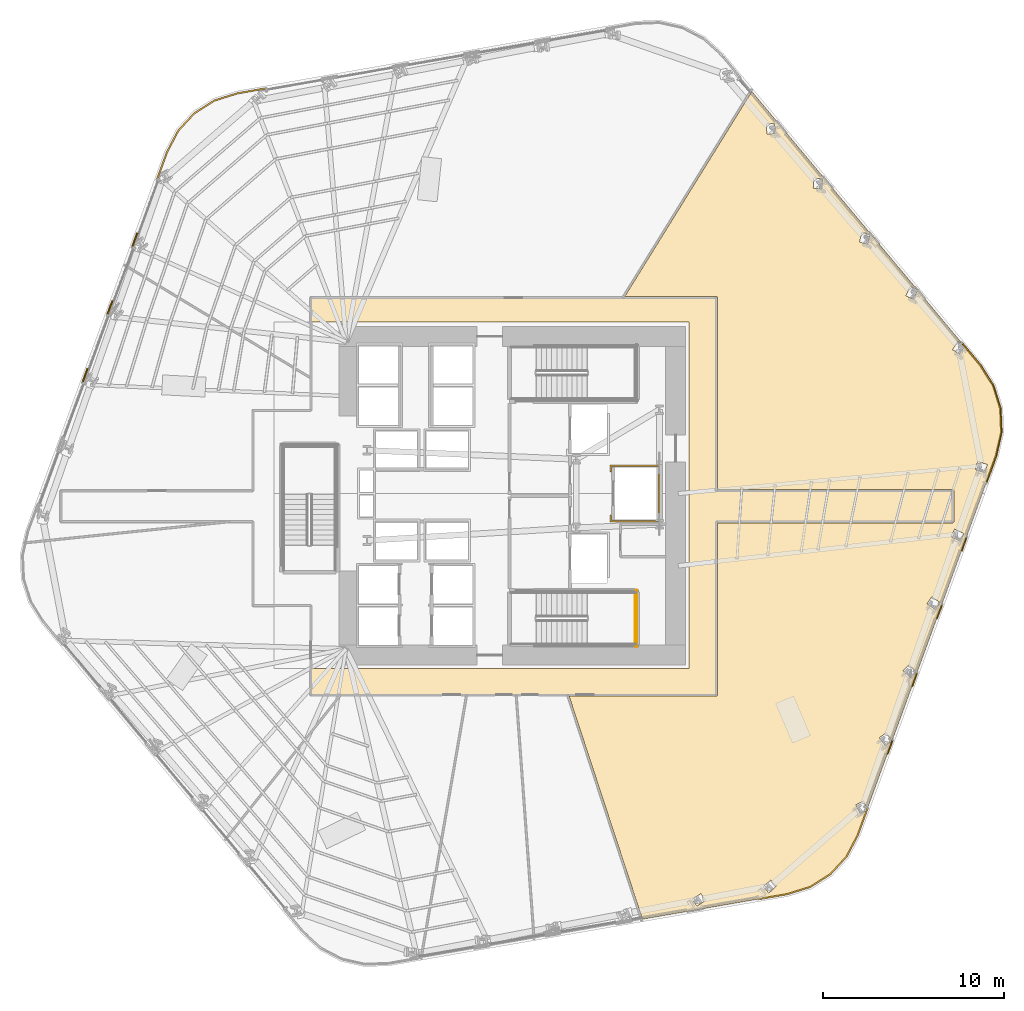
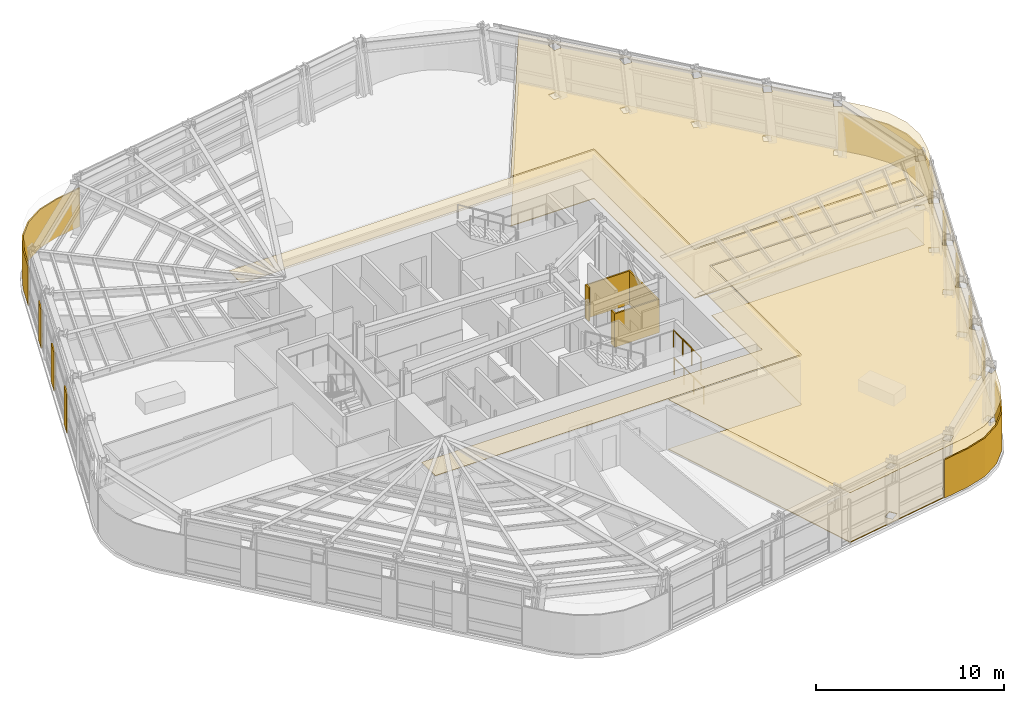
# One storey, part 13 of 16: 14 coverings, 2 railings.
"""IFC4 building model written with IfcOpenShell, lengths in metres."""

from ifc_helpers import new_model, si_unit, direction, frame, origin, origin_2d, place, context, subcontext, project, spatial, polyline, circle, outline, extrude, material, layer, layer_set, type_object, element, save


model = new_model("IFC4")

# Units and contexts
model_context = context("Model", 3, precision=1e-05, world=origin(), true_north=direction((0.0, 1.0)))
body_context = subcontext(model_context, "Body", "Model", "MODEL_VIEW")
ifc_project = project(units=[si_unit("LENGTHUNIT", "METRE"), si_unit("AREAUNIT", "SQUARE_METRE"), si_unit("VOLUMEUNIT", "CUBIC_METRE"), si_unit("PLANEANGLEUNIT", "RADIAN"), si_unit("MASSUNIT", "GRAM", prefix="KILO")], contexts=[model_context])

# Site, building, storey
site_placement = place(None, origin())
site = spatial("IfcSite", under=ifc_project, at=site_placement, CompositionType="ELEMENT")
building_placement = place(site_placement, origin())
building = spatial("IfcBuilding", under=site, at=building_placement, Name="Valkerne Bourse Tower", CompositionType="ELEMENT")
storey_placement = place(building_placement, frame((0.0, 0.0, 65.800048828125)))
storey = spatial("IfcBuildingStorey", under=building, at=storey_placement, Name="L16", CompositionType="ELEMENT", Elevation=65.800048828125)

# Coverings
ifc_material_1 = material(Name="Mineral Fiber Acoustic Ceiling Tile", Category="acoustic")
ifc_layer_1 = layer(ifc_material_1, 0.02490234375)
ifc_layer_set_1 = layer_set([ifc_layer_1], Name="Mineral Fiber Acoustic Ceiling Tile")
covering_type_1 = type_object("IfcCoveringType", Name="COV-CEIL-ACT", PredefinedType="CEILING", material=ifc_layer_set_1)
covering_1_placement = place(storey_placement, frame((0.0, 0.0, 3.22998046875)))
element("IfcCovering", 1, at=covering_1_placement, inside=storey, type_object=covering_type_1, Name="L16 Suspended Ceiling 09", PredefinedType="CEILING", context=body_context, shape_type="SweptSolid", body=[
    extrude(outline(polyline([(63.308837890625, 5.216064453125), (62.04052734375, 4.81884765625), (54.01318359375, 3.42529296875), (49.95068359375, 15.781005859375), (58.100341796875, 15.781005859375), (58.12890625, 15.787353515625), (58.15185546875, 15.80419921875), (58.1689453125, 15.849365234375), (58.1689453125, 25.381103515625), (71.20068359375, 25.381103515625), (71.24169921875, 25.394775390625), (71.266845703125, 25.4326171875), (71.268798828125, 27.153564453125), (71.2509765625, 27.197021484375), (71.2099609375, 27.218505859375), (58.1689453125, 27.218994140625), (58.1689453125, 37.8505859375), (58.162109375, 37.880126953125), (58.135986328125, 37.908935546875), (58.1005859375, 37.9189453125), (53.035888671875, 37.9189453125), (60.072021484375, 49.273193359375), (69.243408203125, 38.2841796875), (68.836669921875, 38.4619140625), (68.611572265625, 37.9541015625), (68.61328125, 37.950927734375), (69.03125, 37.768310546875), (69.254150390625, 38.271240234375), (71.750732421875, 35.280029296875), (71.493408203125, 35.441650390625), (71.1953125, 34.97314453125), (71.196533203125, 34.969482421875), (71.58251953125, 34.72705078125), (71.85498046875, 35.155029296875), (72.734619140625, 34.100830078125), (73.447021484375, 32.978515625), (73.841552734375, 31.719482421875), (73.896728515625, 30.401123046875), (73.60693359375, 29.10400390625), (67.8408203125, 13.30322265625), (67.512939453125, 13.748779296875), (67.145263671875, 13.480224609375), (67.143310546875, 13.477294921875), (67.472900390625, 13.029296875), (67.838134765625, 13.2958984375), (66.468994140625, 9.543701171875), (66.24365234375, 9.97119140625), (65.840087890625, 9.760498046875), (65.83740234375, 9.7578125), (66.0966796875, 9.265625), (66.430908203125, 9.440185546875), (65.931884765625, 8.072265625), (65.316162109375, 6.89453125), (64.4228515625, 5.923095703125), (63.308837890625, 5.216064453125)]), holes=[polyline([(57.49853515625, 4.4609375), (57.241455078125, 4.83935546875), (57.238037109375, 4.837890625), (56.780517578125, 4.52587890625), (57.037841796875, 4.147216796875), (57.041015625, 4.148681640625), (57.49853515625, 4.4609375)]), polyline([(61.0205078125, 4.8779296875), (61.426025390625, 5.254638671875), (61.115478515625, 5.59033203125), (61.1123046875, 5.58837890625), (60.706787109375, 5.211669921875), (61.017333984375, 4.8759765625), (61.0205078125, 4.8779296875)]), polyline([(69.173583984375, 17.12548828125), (69.175048828125, 17.12890625), (68.777587890625, 17.51806640625), (68.457763671875, 17.193603515625), (68.456298828125, 17.1904296875), (68.853759765625, 16.80126953125), (69.173583984375, 17.12548828125)]), polyline([(70.4970703125, 20.955810546875), (70.497802734375, 20.959228515625), (70.041748046875, 21.277587890625), (69.77978515625, 20.90478515625), (69.77880859375, 20.901611328125), (70.235107421875, 20.5830078125), (70.4970703125, 20.955810546875)]), polyline([(71.811279296875, 24.787353515625), (71.309814453125, 25.0283203125), (71.111328125, 24.618408203125), (71.111083984375, 24.61474609375), (71.6123046875, 24.373779296875), (71.81103515625, 24.78369140625), (71.811279296875, 24.787353515625)]), polyline([(73.117431640625, 28.605712890625), (73.1171875, 28.609375), (72.58544921875, 28.7724609375), (72.4501953125, 28.337890625), (72.450439453125, 28.333984375), (72.982177734375, 28.1708984375), (73.117431640625, 28.605712890625)]), polyline([(66.6220703125, 41.356689453125), (66.6201171875, 41.359619140625), (66.177978515625, 41.47265625), (66.03759765625, 40.935302734375), (66.03955078125, 40.9326171875), (66.481689453125, 40.8193359375), (66.6220703125, 41.356689453125)]), polyline([(63.97900390625, 44.432861328125), (63.9765625, 44.435302734375), (63.52197265625, 44.47412109375), (63.47216796875, 43.920654296875), (63.474609375, 43.918212890625), (63.92919921875, 43.879638671875), (63.97900390625, 44.432861328125)]), polyline([(61.33056640625, 47.501220703125), (61.32763671875, 47.503173828125), (60.872802734375, 47.46826171875), (60.91259765625, 46.914306640625), (60.915283203125, 46.912109375), (61.370361328125, 46.947021484375), (61.33056640625, 47.501220703125)])]), origin(), (0.0, 0.0, 1.0), 0.02490234375),
])
ifc_material_2 = material(Name="Bronze Anodised Aluminium AA 6063-T6", Category="aluminium")
ifc_layer_2 = layer(ifc_material_2, 0.030029296875)
ifc_layer_set_2 = layer_set([ifc_layer_2], Name="Bronze Anodised Aluminium AA 6063-T6")
covering_type_2 = type_object("IfcCoveringType", Name="COV-CEIL-METAL", PredefinedType="CEILING", material=ifc_layer_set_2)
covering_2_placement = place(storey_placement, frame((0.0, 0.0, 3.22998046875)))
element("IfcCovering", 2, at=covering_2_placement, inside=storey, type_object=covering_type_2, Name="L16 Suspended Ceiling 01", PredefinedType="CEILING", context=body_context, shape_type="SweptSolid", body=[
    extrude(outline(polyline([(71.196044921875, 27.14599609375), (71.196044921875, 25.4541015625), (58.095947265625, 25.4541015625), (58.095947265625, 15.85400390625), (35.654052734375, 15.85400390625), (35.654052734375, 17.300048828125), (56.60009765625, 17.300048828125), (56.60009765625, 36.5), (35.654052734375, 36.5), (35.654052734375, 37.845947265625), (58.095947265625, 37.845947265625), (58.095947265625, 27.14599609375), (71.196044921875, 27.14599609375)])), origin(), (0.0, 0.0, 1.0), 0.02490234375),
])
ifc_layer_3 = layer(ifc_material_2, 0.06005859375)
ifc_layer_set_3 = layer_set([ifc_layer_3], Name="Bronze Anodised Aluminium AA 6063-T6")
covering_type_3 = type_object("IfcCoveringType", Name="COV-CRN-ALUM", PredefinedType="CLADDING", material=ifc_layer_set_3)
covering_3_placement = place(storey_placement, origin())
element("IfcCovering", 3, at=covering_3_placement, inside=storey, type_object=covering_type_3, Name="L16 Wind-Shaped Corner Aluminium Cladding 01", PredefinedType="CLADDING", context=body_context, shape_type="SweptSolid", body=[
    extrude(outline(polyline([(65.352294921875, 6.868896484375), (64.451416015625, 5.88916015625), (63.327392578125, 5.17578125), (62.051025390625, 4.77587890625), (60.442138671875, 4.49658203125), (60.428466796875, 4.575439453125), (62.031982421875, 4.853759765625), (63.293701171875, 5.2490234375), (64.399658203125, 5.951171875), (65.286376953125, 6.915283203125), (65.89892578125, 8.0869140625), (66.456787109375, 9.615966796875), (66.531982421875, 9.58837890625), (65.97216796875, 8.054443359375), (65.352294921875, 6.868896484375)])), origin(), (0.0, 0.0, 1.0), 2.5),
])
covering_4_placement = place(storey_placement, origin())
element("IfcCovering", 4, at=covering_4_placement, inside=storey, type_object=covering_type_3, Name="L16 Wind-Shaped Corner Aluminium Cladding 13", PredefinedType="CLADDING", context=body_context, shape_type="SweptSolid", body=[
    extrude(outline(polyline([(23.24365234375, 33.940185546875), (23.31884765625, 33.91259765625), (23.029296875, 33.1240234375), (22.954345703125, 33.151611328125), (23.24365234375, 33.940185546875)])), origin(), (0.0, 0.0, 1.0), 2.5),
])
covering_5_placement = place(storey_placement, origin())
element("IfcCovering", 5, at=covering_5_placement, inside=storey, type_object=covering_type_3, Name="L16 Wind-Shaped Corner Aluminium Cladding 14", PredefinedType="CLADDING", context=body_context, shape_type="SweptSolid", body=[
    extrude(outline(polyline([(24.620361328125, 37.69140625), (24.695556640625, 37.6640625), (24.406005859375, 36.875244140625), (24.330810546875, 36.90283203125), (24.620361328125, 37.69140625)])), origin(), (0.0, 0.0, 1.0), 2.5),
])
covering_6_placement = place(storey_placement, origin())
element("IfcCovering", 6, at=covering_6_placement, inside=storey, type_object=covering_type_3, Name="L16 Wind-Shaped Corner Aluminium Cladding 15", PredefinedType="CLADDING", context=body_context, shape_type="SweptSolid", body=[
    extrude(outline(polyline([(25.9970703125, 41.44287109375), (26.072021484375, 41.415283203125), (25.78271484375, 40.626708984375), (25.70751953125, 40.654296875), (25.9970703125, 41.44287109375)])), origin(), (0.0, 0.0, 1.0), 2.5),
])
covering_7_placement = place(storey_placement, origin())
element("IfcCovering", 7, at=covering_7_placement, inside=storey, type_object=covering_type_3, Name="L16 Wind-Shaped Corner Aluminium Cladding 16", PredefinedType="CLADDING", context=body_context, shape_type="SweptSolid", body=[
    extrude(outline(polyline([(27.642578125, 45.927490234375), (28.262451171875, 47.113037109375), (29.16357421875, 48.093017578125), (30.28759765625, 48.80615234375), (31.56396484375, 49.206298828125), (33.160888671875, 49.486572265625), (33.174560546875, 49.40771484375), (31.5830078125, 49.12841796875), (30.3212890625, 48.73291015625), (29.21533203125, 48.031005859375), (28.32861328125, 47.066650390625), (27.716064453125, 45.89501953125), (27.159423828125, 44.378173828125), (27.084228515625, 44.40576171875), (27.642578125, 45.927490234375)])), origin(), (0.0, 0.0, 1.0), 2.5),
])
covering_8_placement = place(storey_placement, origin())
element("IfcCovering", 8, at=covering_8_placement, inside=storey, type_object=covering_type_3, Name="L16 Wind-Shaped Corner Aluminium Cladding 26", PredefinedType="CLADDING", context=body_context, shape_type="SweptSolid", body=[
    extrude(outline(polyline([(72.7705078125, 34.126953125), (73.4873046875, 32.997314453125), (73.88525390625, 31.727294921875), (73.94091796875, 30.397216796875), (73.649169921875, 29.091552734375), (73.093505859375, 27.568603515625), (73.018310546875, 27.59619140625), (73.572265625, 29.114013671875), (73.860595703125, 30.404296875), (73.805908203125, 31.71337890625), (73.4140625, 32.96337890625), (72.70556640625, 34.07958984375), (71.670166015625, 35.3203125), (71.731689453125, 35.37158203125), (72.7705078125, 34.126953125)])), origin(), (0.0, 0.0, 1.0), 2.5),
])
covering_9_placement = place(storey_placement, origin())
element("IfcCovering", 9, at=covering_9_placement, inside=storey, type_object=covering_type_3, Name="L16 Wind-Shaped Corner Aluminium Cladding 27", PredefinedType="CLADDING", context=body_context, shape_type="SweptSolid", body=[
    extrude(outline(polyline([(71.7236328125, 23.814697265625), (71.6484375, 23.84228515625), (71.936279296875, 24.63134765625), (72.011474609375, 24.60400390625), (71.7236328125, 23.814697265625)])), origin(), (0.0, 0.0, 1.0), 2.5),
])
covering_10_placement = place(storey_placement, origin())
element("IfcCovering", 10, at=covering_10_placement, inside=storey, type_object=covering_type_3, Name="L16 Wind-Shaped Corner Aluminium Cladding 28", PredefinedType="CLADDING", context=body_context, shape_type="SweptSolid", body=[
    extrude(outline(polyline([(70.353759765625, 20.060791015625), (70.278564453125, 20.08837890625), (70.56640625, 20.87744140625), (70.6416015625, 20.85009765625), (70.353759765625, 20.060791015625)])), origin(), (0.0, 0.0, 1.0), 2.5),
])
covering_11_placement = place(storey_placement, origin())
element("IfcCovering", 11, at=covering_11_placement, inside=storey, type_object=covering_type_3, Name="L16 Wind-Shaped Corner Aluminium Cladding 29", PredefinedType="CLADDING", context=body_context, shape_type="SweptSolid", body=[
    extrude(outline(polyline([(68.98388671875, 16.306884765625), (68.90869140625, 16.33447265625), (69.19677734375, 17.123779296875), (69.271728515625, 17.09619140625), (68.98388671875, 16.306884765625)])), origin(), (0.0, 0.0, 1.0), 2.5),
])
covering_12_placement = place(storey_placement, origin())
element("IfcCovering", 12, at=covering_12_placement, inside=storey, type_object=covering_type_3, Name="L16 Wind-Shaped Corner Aluminium Cladding 30", PredefinedType="CLADDING", context=body_context, shape_type="SweptSolid", body=[
    extrude(outline(polyline([(67.614013671875, 12.55322265625), (67.538818359375, 12.580810546875), (67.826904296875, 13.369873046875), (67.90185546875, 13.34228515625), (67.614013671875, 12.55322265625)])), origin(), (0.0, 0.0, 1.0), 2.5),
])
ifc_material_3 = material(Name="Galvanised Painted Steel", Category="steel")
ifc_layer_4 = layer(ifc_material_3, 0.044921875)
ifc_layer_set_4 = layer_set([ifc_layer_4], Name="Galvanised Painted Steel")
covering_type_4 = type_object("IfcCoveringType", Name="COV-FLR-RAF", PredefinedType="FLOORING", material=ifc_layer_set_4)
covering_13_placement = place(storey_placement, origin())
element("IfcCovering", 13, at=covering_13_placement, inside=storey, type_object=covering_type_4, Name="L16 Floor Finish 09", PredefinedType="FLOORING", context=body_context, shape_type="SweptSolid", body=[
    extrude(outline(polyline([(63.308837890625, 5.216064453125), (62.04052734375, 4.81884765625), (54.01318359375, 3.42529296875), (49.95068359375, 15.781005859375), (58.100341796875, 15.781005859375), (58.12890625, 15.787353515625), (58.15185546875, 15.80419921875), (58.1689453125, 15.849365234375), (58.1689453125, 25.381103515625), (71.20068359375, 25.381103515625), (71.24169921875, 25.394775390625), (71.266845703125, 25.4326171875), (71.268798828125, 27.153564453125), (71.2509765625, 27.197021484375), (71.2099609375, 27.218505859375), (58.1689453125, 27.218994140625), (58.1689453125, 37.8505859375), (58.162109375, 37.880126953125), (58.135986328125, 37.908935546875), (58.1005859375, 37.9189453125), (53.035888671875, 37.9189453125), (60.072021484375, 49.273193359375), (69.243408203125, 38.2841796875), (68.836669921875, 38.4619140625), (68.611572265625, 37.9541015625), (68.61328125, 37.950927734375), (69.03125, 37.768310546875), (69.254150390625, 38.271240234375), (71.750732421875, 35.280029296875), (71.493408203125, 35.441650390625), (71.1953125, 34.97314453125), (71.196533203125, 34.969482421875), (71.58251953125, 34.72705078125), (71.85498046875, 35.155029296875), (72.734619140625, 34.100830078125), (73.447021484375, 32.978515625), (73.841552734375, 31.719482421875), (73.896728515625, 30.401123046875), (73.60693359375, 29.10400390625), (67.8408203125, 13.30322265625), (67.512939453125, 13.748779296875), (67.145263671875, 13.480224609375), (67.143310546875, 13.477294921875), (67.472900390625, 13.029296875), (67.838134765625, 13.2958984375), (66.468994140625, 9.543701171875), (66.24365234375, 9.97119140625), (65.840087890625, 9.760498046875), (65.83740234375, 9.7578125), (66.0966796875, 9.265625), (66.430908203125, 9.440185546875), (65.931884765625, 8.072265625), (65.316162109375, 6.89453125), (64.4228515625, 5.923095703125), (63.308837890625, 5.216064453125)]), holes=[polyline([(57.49853515625, 4.4609375), (57.241455078125, 4.83935546875), (57.238037109375, 4.837890625), (56.780517578125, 4.52587890625), (57.037841796875, 4.147216796875), (57.041015625, 4.148681640625), (57.49853515625, 4.4609375)]), polyline([(61.0205078125, 4.8779296875), (61.426025390625, 5.254638671875), (61.115478515625, 5.59033203125), (61.1123046875, 5.58837890625), (60.706787109375, 5.211669921875), (61.017333984375, 4.8759765625), (61.0205078125, 4.8779296875)]), polyline([(69.173583984375, 17.12548828125), (69.175048828125, 17.12890625), (68.777587890625, 17.51806640625), (68.457763671875, 17.193603515625), (68.456298828125, 17.1904296875), (68.853759765625, 16.80126953125), (69.173583984375, 17.12548828125)]), polyline([(70.4970703125, 20.955810546875), (70.497802734375, 20.959228515625), (70.041748046875, 21.277587890625), (69.77978515625, 20.90478515625), (69.77880859375, 20.901611328125), (70.235107421875, 20.5830078125), (70.4970703125, 20.955810546875)]), polyline([(71.811279296875, 24.787353515625), (71.309814453125, 25.0283203125), (71.111328125, 24.618408203125), (71.111083984375, 24.61474609375), (71.6123046875, 24.373779296875), (71.81103515625, 24.78369140625), (71.811279296875, 24.787353515625)]), polyline([(73.117431640625, 28.605712890625), (73.1171875, 28.609375), (72.58544921875, 28.7724609375), (72.4501953125, 28.337890625), (72.450439453125, 28.333984375), (72.982177734375, 28.1708984375), (73.117431640625, 28.605712890625)]), polyline([(66.6220703125, 41.356689453125), (66.6201171875, 41.359619140625), (66.177978515625, 41.47265625), (66.03759765625, 40.935302734375), (66.03955078125, 40.9326171875), (66.481689453125, 40.8193359375), (66.6220703125, 41.356689453125)]), polyline([(63.97900390625, 44.432861328125), (63.9765625, 44.435302734375), (63.52197265625, 44.47412109375), (63.47216796875, 43.920654296875), (63.474609375, 43.918212890625), (63.92919921875, 43.879638671875), (63.97900390625, 44.432861328125)]), polyline([(61.33056640625, 47.501220703125), (61.32763671875, 47.503173828125), (60.872802734375, 47.46826171875), (60.91259765625, 46.914306640625), (60.915283203125, 46.912109375), (61.370361328125, 46.947021484375), (61.33056640625, 47.501220703125)])]), origin(), (0.0, 0.0, 1.0), 0.044921875),
])
ifc_material_4 = material(Name="Gypsum Shaftwall Liner Board", Category="gypsum")
ifc_layer_5 = layer(ifc_material_4, 0.080078125)
ifc_layer_set_5 = layer_set([ifc_layer_5], Name="Gypsum Shaftwall Liner Board")
covering_type_5 = type_object("IfcCoveringType", Name="COV-SHF-CLAD", PredefinedType="CLADDING", material=ifc_layer_set_5)
covering_14_placement = place(storey_placement, origin())
element("IfcCovering", 14, at=covering_14_placement, inside=storey, type_object=covering_type_5, Name="L16 Hoistway & Riser Shaftwall Liner 08", PredefinedType="CLADDING", context=body_context, shape_type="SweptSolid", body=[
    extrude(outline(polyline([(54.97998046875, 25.419921875), (52.219970703125, 25.419921875), (52.219970703125, 25.81787109375), (52.227783203125, 25.814208984375), (52.269287109375, 25.79931640625), (52.31005859375, 25.789306640625), (52.31005859375, 25.510009765625), (54.889892578125, 25.510009765625), (54.889892578125, 28.489990234375), (52.31005859375, 28.489990234375), (52.31005859375, 28.210693359375), (52.269287109375, 28.20068359375), (52.227783203125, 28.185791015625), (52.219970703125, 28.18212890625), (52.219970703125, 28.580078125), (54.97998046875, 28.580078125), (54.97998046875, 25.419921875)])), origin(), (0.0, 0.0, 1.0), 2.179931640625),
])

# Railings
railing_type = type_object("IfcRailingType", Name="RLG-ST-GUARD-1120", PredefinedType="GUARDRAIL", material=ifc_material_3)
railing_1_placement = place(storey_placement, frame((53.60009765625, 18.60009765625, 1.89990234375)))
element("IfcRailing", 15, at=railing_1_placement, inside=storey, type_object=railing_type, Name="L16 ST-1 stair guard 5", PredefinedType="GUARDRAIL", context=body_context, shape_type="SweptSolid", body=[
    extrude(circle(Radius=0.02392578125, at=origin_2d()), frame((0.0, 0.0, 1.09619140625), z_axis=(0.0, 1.0, 0.0), x_axis=(-1.0, 0.0, 0.0)), (0.0, 0.0, 1.0), 2.949951171875),
    extrude(circle(Radius=0.02099609375, at=origin_2d()), origin(), (0.0, 0.0, 1.0), 1.072021484375),
    extrude(circle(Radius=0.02099609375, at=origin_2d()), frame((0.0, 0.9833984375, 0.0)), (0.0, 0.0, 1.0), 1.072021484375),
    extrude(circle(Radius=0.02099609375, at=origin_2d()), frame((0.0, 1.966552734375, 0.0)), (0.0, 0.0, 1.0), 1.072021484375),
    extrude(circle(Radius=0.02099609375, at=origin_2d()), frame((0.0, 2.949951171875, 0.0)), (0.0, 0.0, 1.0), 1.072021484375),
])
railing_2_placement = place(storey_placement, frame((53.699951171875, 18.5, 0.0)))
element("IfcRailing", 16, at=railing_2_placement, inside=storey, type_object=railing_type, Name="L16 ST-1 stair guard 12", PredefinedType="GUARDRAIL", context=body_context, shape_type="SweptSolid", body=[
    extrude(circle(Radius=0.02392578125, at=origin_2d()), frame((0.0, 0.0, 1.09619140625), z_axis=(0.0, 1.0, 0.0), x_axis=(-1.0, 0.0, 0.0)), (0.0, 0.0, 1.0), 3.14990234375),
    extrude(circle(Radius=0.02099609375, at=origin_2d()), origin(), (0.0, 0.0, 1.0), 1.072021484375),
    extrude(circle(Radius=0.02099609375, at=origin_2d()), frame((0.0, 1.050048828125, 0.0)), (0.0, 0.0, 1.0), 1.072021484375),
    extrude(circle(Radius=0.02099609375, at=origin_2d()), frame((0.0, 2.099853515625, 0.0)), (0.0, 0.0, 1.0), 1.072021484375),
    extrude(circle(Radius=0.02099609375, at=origin_2d()), frame((0.0, 3.14990234375, 0.0)), (0.0, 0.0, 1.0), 1.072021484375),
])

save(model, "model.ifc")
